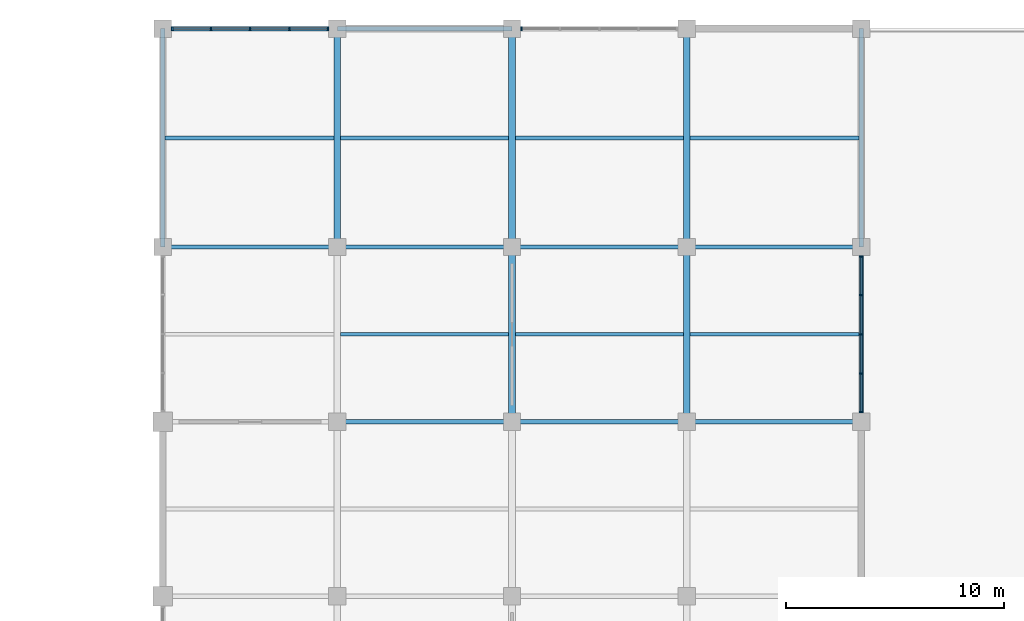
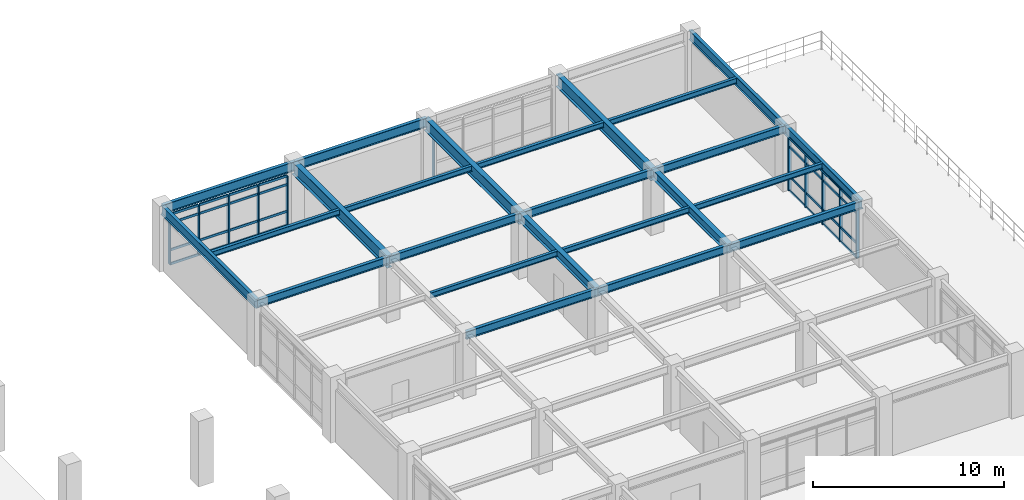
# One storey, part 61 of 118: 43 members, 24 beams, 3 elements without a shape of their own.
"""IFC4 building model written with IfcOpenShell, lengths in metres."""

from ifc_helpers import new_model, si_unit, direction, frame, origin, origin_2d, place, context, subcontext, project, spatial, rectangle, i_section, extrude, material, layer, layer_set, material_profile, profile_set, type_object, element, aggregate, save


model = new_model("IFC4")

# Units and contexts
model_context = context("Model", 3, precision=1e-05, world=origin(), true_north=direction((0.0, 1.0)))
body_context = subcontext(model_context, "Body", "Model", "MODEL_VIEW")
ifc_project = project(units=[si_unit("LENGTHUNIT", "METRE"), si_unit("AREAUNIT", "SQUARE_METRE"), si_unit("VOLUMEUNIT", "CUBIC_METRE"), si_unit("PLANEANGLEUNIT", "RADIAN"), si_unit("MASSUNIT", "GRAM", prefix="KILO")], contexts=[model_context])

# Site, building, storey
site_placement = place(None, origin())
site = spatial("IfcSite", under=ifc_project, at=site_placement, CompositionType="ELEMENT")
building_placement = place(site_placement, origin())
building = spatial("IfcBuilding", under=site, at=building_placement, Name="Haebicheon Civic Stadium", CompositionType="ELEMENT")
storey_placement = place(building_placement, frame((0.0, 0.0, 14.39990234375)))
storey = spatial("IfcBuildingStorey", under=building, at=storey_placement, Name="L04", CompositionType="ELEMENT", Elevation=14.39990234375)

# Beams
ifc_material_1 = material(Name="Steel SM355 (S355)", Category="steel")
ifc_material_profile_1 = material_profile(ifc_material_1, i_section(OverallWidth=0.199951171875, OverallDepth=0.5, WebThickness=0.010009765625, FlangeThickness=0.01611328125, at=origin_2d()), Name="H-500x200x10x16")
ifc_profile_set_1 = profile_set([ifc_material_profile_1], Name="Steel SM355 (S355)")
beam_type_1 = type_object("IfcBeamType", Name="BM-ST-H500", PredefinedType="BEAM", material=ifc_profile_set_1)
for number, where, z_axis, x_axis, name in (
    (1, (160.0, 168.0, 3.72998046875), (1.0, 0.0, 0.0), (0.0, 1.0, 0.0), "L04 beam X/21-22"),
    (2, (168.0, 160.0, 3.72998046875), (1.0, 0.0, 0.0), (0.0, 1.0, 0.0), "L04 beam W/22-23"),
    (3, (168.0, 168.0, 3.72998046875), (1.0, 0.0, 0.0), (0.0, 1.0, 0.0), "L04 beam X/22-23"),
    (4, (176.0, 160.0, 3.72998046875), (1.0, 0.0, 0.0), (0.0, 1.0, 0.0), "L04 beam W/23-24"),
    (5, (176.0, 168.0, 3.72998046875), (1.0, 0.0, 0.0), (0.0, 1.0, 0.0), "L04 beam X/23-24"),
    (6, (184.0, 160.0, 3.72998046875), (1.0, 0.0, 0.0), (0.0, 1.0, 0.0), "L04 beam W/24-25"),
    (7, (184.0, 168.0, 3.72998046875), (1.0, 0.0, 0.0), (0.0, 1.0, 0.0), "L04 beam X/24-25"),
):
    element("IfcBeam", number, at=place(storey_placement, frame(where, z_axis=z_axis, x_axis=x_axis)), inside=storey, type_object=beam_type_1, material=ifc_profile_set_1, Name=name, PredefinedType="BEAM", context=body_context, shape_type="SweptSolid", body=[
        extrude(i_section(OverallWidth=0.199951171875, OverallDepth=0.5, WebThickness=0.010009765625, FlangeThickness=0.01611328125, at=origin_2d()), origin(), (0.0, 0.0, 1.0), 8.0),
    ])
ifc_material_2 = material(Name="Steel SM355 (S355)", Category="steel")
ifc_material_profile_2 = material_profile(ifc_material_2, i_section(OverallWidth=0.300048828125, OverallDepth=0.60009765625, WebThickness=0.011962890625, FlangeThickness=0.02001953125, at=origin_2d()), Name="H-600x300x12x20")
ifc_profile_set_2 = profile_set([ifc_material_profile_2], Name="Steel SM355 (S355)")
beam_type_2 = type_object("IfcBeamType", Name="BM-ST-H600A", PredefinedType="BEAM", material=ifc_profile_set_2)
for number, where, z_axis, x_axis, name in (
    (8, (176.0, 160.0, 3.68017578125), (0.0, 1.0, 0.0), (-1.0, 0.0, 0.0), "L04 girder 23/W-X"),
    (9, (184.0, 160.0, 3.68017578125), (0.0, 1.0, 0.0), (-1.0, 0.0, 0.0), "L04 girder 24/W-X"),
):
    element("IfcBeam", number, at=place(storey_placement, frame(where, z_axis=z_axis, x_axis=x_axis)), inside=storey, type_object=beam_type_2, material=ifc_profile_set_2, Name=name, PredefinedType="BEAM", context=body_context, shape_type="SweptSolid", body=[
        extrude(i_section(OverallWidth=0.300048828125, OverallDepth=0.60009765625, WebThickness=0.011962890625, FlangeThickness=0.02001953125, at=origin_2d()), origin(), (0.0, 0.0, 1.0), 8.0),
    ])
ifc_material_3 = material(Name="Steel SM490", Category="steel")
ifc_material_profile_3 = material_profile(ifc_material_3, i_section(OverallWidth=0.300048828125, OverallDepth=0.800048828125, WebThickness=0.013916015625, FlangeThickness=0.02587890625, at=origin_2d()), Name="H-800x300x14x26")
ifc_profile_set_3 = profile_set([ifc_material_profile_3], Name="Steel SM490")
beam_type_3 = type_object("IfcBeamType", Name="BM-ST-H800", PredefinedType="BEAM", material=ifc_profile_set_3)
for number, where, z_axis, x_axis, name in (
    (10, (168.0, 168.0, 3.580078125), (0.0, 1.0, 0.0), (-1.0, 0.0, 0.0), "L04 girder 22/X-Y"),
    (11, (176.0, 168.0, 3.580078125), (0.0, 1.0, 0.0), (-1.0, 0.0, 0.0), "L04 girder 23/X-Y"),
    (12, (184.0, 168.0, 3.580078125), (0.0, 1.0, 0.0), (-1.0, 0.0, 0.0), "L04 girder 24/X-Y"),
):
    element("IfcBeam", number, at=place(storey_placement, frame(where, z_axis=z_axis, x_axis=x_axis)), inside=storey, type_object=beam_type_3, material=ifc_profile_set_3, Name=name, PredefinedType="BEAM", context=body_context, shape_type="SweptSolid", body=[
        extrude(i_section(OverallWidth=0.300048828125, OverallDepth=0.800048828125, WebThickness=0.013916015625, FlangeThickness=0.02587890625, at=origin_2d()), origin(), (0.0, 0.0, 1.0), 10.0),
    ])

# Curtain wall, members
ifc_material_4 = material(Name="Anodised aluminium and laminated glass", Category="aluminium")
ifc_layer_1 = layer(ifc_material_4, 0.179931640625, Name="Anodised aluminium and laminated glass")
ifc_layer_set_1 = layer_set([ifc_layer_1], Name="Anodised aluminium and laminated glass")
curtain_wall_type_1 = type_object("IfcCurtainWallType", Name="CW-7200x3170", PredefinedType="NOTDEFINED", material=ifc_layer_set_1)
curtain_wall_1_placement = place(storey_placement, origin())
curtain_wall_1 = element("IfcCurtainWall", 13, at=curtain_wall_1_placement, inside=storey, type_object=curtain_wall_type_1, material=ifc_layer_set_1, Name="L04 unitised curtain wall 161", PredefinedType="NOTDEFINED")
ifc_material_5 = material(Name="Anodised aluminium 6063-T6", Category="aluminium")
ifc_material_profile_4 = material_profile(ifc_material_5, rectangle(XDim=0.070068359375, YDim=0.199951171875, at=origin_2d()), Name="ALU-MULL-70x200")
ifc_profile_set_4 = profile_set([ifc_material_profile_4], Name="Anodised aluminium 6063-T6")
member_type_1 = type_object("IfcMemberType", Name="CWM-200x70", PredefinedType="MULLION", material=ifc_profile_set_4)
member_1_placement = place(storey_placement, frame((160.43505859375, 178.0, 0.0), z_axis=(0.0, 0.0, 1.0), x_axis=(1.0, 0.0, 0.0)))
member_1 = element("IfcMember", 14, at=member_1_placement, type_object=member_type_1, material=ifc_profile_set_4, Name="CW-L04-161 vertical mullion 1", PredefinedType="MULLION", context=body_context, shape_type="SweptSolid", body=[
    extrude(rectangle(XDim=0.070068359375, YDim=0.199951171875, at=origin_2d()), origin(), (0.0, 0.0, 1.0), 3.170166015625),
])
member_2_placement = place(storey_placement, frame((162.199951171875, 178.0, 0.0), z_axis=(0.0, 0.0, 1.0), x_axis=(1.0, 0.0, 0.0)))
member_2 = element("IfcMember", 15, at=member_2_placement, type_object=member_type_1, material=ifc_profile_set_4, Name="CW-L04-161 vertical mullion 2", PredefinedType="MULLION", context=body_context, shape_type="SweptSolid", body=[
    extrude(rectangle(XDim=0.070068359375, YDim=0.199951171875, at=origin_2d()), origin(), (0.0, 0.0, 1.0), 3.170166015625),
])
member_3_placement = place(storey_placement, frame((164.0, 178.0, 0.0), z_axis=(0.0, 0.0, 1.0), x_axis=(1.0, 0.0, 0.0)))
member_3 = element("IfcMember", 16, at=member_3_placement, type_object=member_type_1, material=ifc_profile_set_4, Name="CW-L04-161 vertical mullion 3", PredefinedType="MULLION", context=body_context, shape_type="SweptSolid", body=[
    extrude(rectangle(XDim=0.070068359375, YDim=0.199951171875, at=origin_2d()), origin(), (0.0, 0.0, 1.0), 3.170166015625),
])
member_4_placement = place(storey_placement, frame((165.800048828125, 178.0, 0.0), z_axis=(0.0, 0.0, 1.0), x_axis=(1.0, 0.0, 0.0)))
member_4 = element("IfcMember", 17, at=member_4_placement, type_object=member_type_1, material=ifc_profile_set_4, Name="CW-L04-161 vertical mullion 4", PredefinedType="MULLION", context=body_context, shape_type="SweptSolid", body=[
    extrude(rectangle(XDim=0.070068359375, YDim=0.199951171875, at=origin_2d()), origin(), (0.0, 0.0, 1.0), 3.170166015625),
])
member_5_placement = place(storey_placement, frame((167.56494140625, 178.0, 0.0), z_axis=(0.0, 0.0, 1.0), x_axis=(1.0, 0.0, 0.0)))
member_5 = element("IfcMember", 18, at=member_5_placement, type_object=member_type_1, material=ifc_profile_set_4, Name="CW-L04-161 vertical mullion 5", PredefinedType="MULLION", context=body_context, shape_type="SweptSolid", body=[
    extrude(rectangle(XDim=0.070068359375, YDim=0.199951171875, at=origin_2d()), origin(), (0.0, 0.0, 1.0), 3.170166015625),
])

# Curtain wall, member
curtain_wall_2_placement = place(storey_placement, origin())
curtain_wall_2 = element("IfcCurtainWall", 19, at=curtain_wall_2_placement, inside=storey, type_object=curtain_wall_type_1, material=ifc_layer_set_1, Name="L04 unitised curtain wall 164", PredefinedType="NOTDEFINED")
member_6_placement = place(storey_placement, frame((176.43505859375, 178.0, 0.0), z_axis=(0.0, 0.0, 1.0), x_axis=(1.0, 0.0, 0.0)))
member_6 = element("IfcMember", 20, at=member_6_placement, type_object=member_type_1, material=ifc_profile_set_4, Name="CW-L04-164 vertical mullion 1", PredefinedType="MULLION", context=body_context, shape_type="SweptSolid", body=[
    extrude(rectangle(XDim=0.070068359375, YDim=0.199951171875, at=origin_2d()), origin(), (0.0, 0.0, 1.0), 3.170166015625),
])
aggregate(curtain_wall_2, [member_6])

# Curtain wall, members
ifc_material_6 = material(Name="Anodised aluminium and laminated glass", Category="aluminium")
ifc_layer_2 = layer(ifc_material_6, 0.179931640625, Name="Anodised aluminium and laminated glass")
ifc_layer_set_2 = layer_set([ifc_layer_2], Name="Anodised aluminium and laminated glass")
curtain_wall_type_2 = type_object("IfcCurtainWallType", Name="CW-7200x3350", PredefinedType="NOTDEFINED", material=ifc_layer_set_2)
curtain_wall_3_placement = place(storey_placement, origin())
curtain_wall_3 = element("IfcCurtainWall", 21, at=curtain_wall_3_placement, inside=storey, type_object=curtain_wall_type_2, material=ifc_layer_set_2, Name="L04 unitised curtain wall 168", PredefinedType="NOTDEFINED")
member_7_placement = place(storey_placement, frame((192.0, 160.43505859375, 0.0), z_axis=(0.0, 0.0, 1.0), x_axis=(0.0, 1.0, 0.0)))
member_7 = element("IfcMember", 22, at=member_7_placement, type_object=member_type_1, material=ifc_profile_set_4, Name="CW-L04-168 vertical mullion 1", PredefinedType="MULLION", context=body_context, shape_type="SweptSolid", body=[
    extrude(rectangle(XDim=0.070068359375, YDim=0.199951171875, at=origin_2d()), origin(), (0.0, 0.0, 1.0), 3.35009765625),
])
member_8_placement = place(storey_placement, frame((192.0, 162.199951171875, 0.0), z_axis=(0.0, 0.0, 1.0), x_axis=(0.0, 1.0, 0.0)))
member_8 = element("IfcMember", 23, at=member_8_placement, type_object=member_type_1, material=ifc_profile_set_4, Name="CW-L04-168 vertical mullion 2", PredefinedType="MULLION", context=body_context, shape_type="SweptSolid", body=[
    extrude(rectangle(XDim=0.070068359375, YDim=0.199951171875, at=origin_2d()), origin(), (0.0, 0.0, 1.0), 3.35009765625),
])
member_9_placement = place(storey_placement, frame((192.0, 164.0, 0.0), z_axis=(0.0, 0.0, 1.0), x_axis=(0.0, 1.0, 0.0)))
member_9 = element("IfcMember", 24, at=member_9_placement, type_object=member_type_1, material=ifc_profile_set_4, Name="CW-L04-168 vertical mullion 3", PredefinedType="MULLION", context=body_context, shape_type="SweptSolid", body=[
    extrude(rectangle(XDim=0.070068359375, YDim=0.199951171875, at=origin_2d()), origin(), (0.0, 0.0, 1.0), 3.35009765625),
])
member_10_placement = place(storey_placement, frame((192.0, 165.800048828125, 0.0), z_axis=(0.0, 0.0, 1.0), x_axis=(0.0, 1.0, 0.0)))
member_10 = element("IfcMember", 25, at=member_10_placement, type_object=member_type_1, material=ifc_profile_set_4, Name="CW-L04-168 vertical mullion 4", PredefinedType="MULLION", context=body_context, shape_type="SweptSolid", body=[
    extrude(rectangle(XDim=0.070068359375, YDim=0.199951171875, at=origin_2d()), origin(), (0.0, 0.0, 1.0), 3.35009765625),
])
member_11_placement = place(storey_placement, frame((192.0, 167.56494140625, 0.0), z_axis=(0.0, 0.0, 1.0), x_axis=(0.0, 1.0, 0.0)))
member_11 = element("IfcMember", 26, at=member_11_placement, type_object=member_type_1, material=ifc_profile_set_4, Name="CW-L04-168 vertical mullion 5", PredefinedType="MULLION", context=body_context, shape_type="SweptSolid", body=[
    extrude(rectangle(XDim=0.070068359375, YDim=0.199951171875, at=origin_2d()), origin(), (0.0, 0.0, 1.0), 3.35009765625),
])

# Member
ifc_material_7 = material(Name="Anodised aluminium 6063-T6", Category="aluminium")
ifc_material_profile_5 = material_profile(ifc_material_7, rectangle(XDim=0.070068359375, YDim=0.14990234375, at=origin_2d()), Name="ALU-TRAN-70x150")
ifc_profile_set_5 = profile_set([ifc_material_profile_5], Name="Anodised aluminium 6063-T6")
member_type_2 = type_object("IfcMemberType", Name="CWT-150x70", PredefinedType="NOTDEFINED", material=ifc_profile_set_5)
member_12_placement = place(storey_placement, frame((160.469970703125, 178.0, 0.0), z_axis=(1.0, 0.0, 0.0), x_axis=(0.0, 1.0, 0.0)))
member_12 = element("IfcMember", 27, at=member_12_placement, type_object=member_type_2, material=ifc_profile_set_5, Name="CW-L04-161 horizontal transom 1.1", ObjectType="TRANSOM", PredefinedType="USERDEFINED", context=body_context, shape_type="SweptSolid", body=[
    extrude(rectangle(XDim=0.070068359375, YDim=0.14990234375, at=origin_2d()), origin(), (0.0, 0.0, 1.0), 1.695068359375),
])

member_13_placement = place(storey_placement, frame((160.469970703125, 178.0, 0.900146484375), z_axis=(1.0, 0.0, 0.0), x_axis=(0.0, 1.0, 0.0)))
member_13 = element("IfcMember", 28, at=member_13_placement, type_object=member_type_2, material=ifc_profile_set_5, Name="CW-L04-161 horizontal transom 1.2", ObjectType="TRANSOM", PredefinedType="USERDEFINED", context=body_context, shape_type="SweptSolid", body=[
    extrude(rectangle(XDim=0.070068359375, YDim=0.14990234375, at=origin_2d()), origin(), (0.0, 0.0, 1.0), 1.695068359375),
])

member_14_placement = place(storey_placement, frame((160.469970703125, 178.0, 2.6201171875), z_axis=(1.0, 0.0, 0.0), x_axis=(0.0, 1.0, 0.0)))
member_14 = element("IfcMember", 29, at=member_14_placement, type_object=member_type_2, material=ifc_profile_set_5, Name="CW-L04-161 horizontal transom 1.3", ObjectType="TRANSOM", PredefinedType="USERDEFINED", context=body_context, shape_type="SweptSolid", body=[
    extrude(rectangle(XDim=0.070068359375, YDim=0.14990234375, at=origin_2d()), origin(), (0.0, 0.0, 1.0), 1.695068359375),
])

member_15_placement = place(storey_placement, frame((160.469970703125, 178.0, 3.170166015625), z_axis=(1.0, 0.0, 0.0), x_axis=(0.0, 1.0, 0.0)))
member_15 = element("IfcMember", 30, at=member_15_placement, type_object=member_type_2, material=ifc_profile_set_5, Name="CW-L04-161 horizontal transom 1.4", ObjectType="TRANSOM", PredefinedType="USERDEFINED", context=body_context, shape_type="SweptSolid", body=[
    extrude(rectangle(XDim=0.070068359375, YDim=0.14990234375, at=origin_2d()), origin(), (0.0, 0.0, 1.0), 1.695068359375),
])

member_16_placement = place(storey_placement, frame((162.235107421875, 178.0, 0.0), z_axis=(1.0, 0.0, 0.0), x_axis=(0.0, 1.0, 0.0)))
member_16 = element("IfcMember", 31, at=member_16_placement, type_object=member_type_2, material=ifc_profile_set_5, Name="CW-L04-161 horizontal transom 2.1", ObjectType="TRANSOM", PredefinedType="USERDEFINED", context=body_context, shape_type="SweptSolid", body=[
    extrude(rectangle(XDim=0.070068359375, YDim=0.14990234375, at=origin_2d()), origin(), (0.0, 0.0, 1.0), 1.72998046875),
])

member_17_placement = place(storey_placement, frame((162.235107421875, 178.0, 0.900146484375), z_axis=(1.0, 0.0, 0.0), x_axis=(0.0, 1.0, 0.0)))
member_17 = element("IfcMember", 32, at=member_17_placement, type_object=member_type_2, material=ifc_profile_set_5, Name="CW-L04-161 horizontal transom 2.2", ObjectType="TRANSOM", PredefinedType="USERDEFINED", context=body_context, shape_type="SweptSolid", body=[
    extrude(rectangle(XDim=0.070068359375, YDim=0.14990234375, at=origin_2d()), origin(), (0.0, 0.0, 1.0), 1.72998046875),
])

member_18_placement = place(storey_placement, frame((162.235107421875, 178.0, 2.6201171875), z_axis=(1.0, 0.0, 0.0), x_axis=(0.0, 1.0, 0.0)))
member_18 = element("IfcMember", 33, at=member_18_placement, type_object=member_type_2, material=ifc_profile_set_5, Name="CW-L04-161 horizontal transom 2.3", ObjectType="TRANSOM", PredefinedType="USERDEFINED", context=body_context, shape_type="SweptSolid", body=[
    extrude(rectangle(XDim=0.070068359375, YDim=0.14990234375, at=origin_2d()), origin(), (0.0, 0.0, 1.0), 1.72998046875),
])

member_19_placement = place(storey_placement, frame((162.235107421875, 178.0, 3.170166015625), z_axis=(1.0, 0.0, 0.0), x_axis=(0.0, 1.0, 0.0)))
member_19 = element("IfcMember", 34, at=member_19_placement, type_object=member_type_2, material=ifc_profile_set_5, Name="CW-L04-161 horizontal transom 2.4", ObjectType="TRANSOM", PredefinedType="USERDEFINED", context=body_context, shape_type="SweptSolid", body=[
    extrude(rectangle(XDim=0.070068359375, YDim=0.14990234375, at=origin_2d()), origin(), (0.0, 0.0, 1.0), 1.72998046875),
])

member_20_placement = place(storey_placement, frame((164.034912109375, 178.0, 0.0), z_axis=(1.0, 0.0, 0.0), x_axis=(0.0, 1.0, 0.0)))
member_20 = element("IfcMember", 35, at=member_20_placement, type_object=member_type_2, material=ifc_profile_set_5, Name="CW-L04-161 horizontal transom 3.1", ObjectType="TRANSOM", PredefinedType="USERDEFINED", context=body_context, shape_type="SweptSolid", body=[
    extrude(rectangle(XDim=0.070068359375, YDim=0.14990234375, at=origin_2d()), origin(), (0.0, 0.0, 1.0), 1.72998046875),
])

member_21_placement = place(storey_placement, frame((164.034912109375, 178.0, 0.900146484375), z_axis=(1.0, 0.0, 0.0), x_axis=(0.0, 1.0, 0.0)))
member_21 = element("IfcMember", 36, at=member_21_placement, type_object=member_type_2, material=ifc_profile_set_5, Name="CW-L04-161 horizontal transom 3.2", ObjectType="TRANSOM", PredefinedType="USERDEFINED", context=body_context, shape_type="SweptSolid", body=[
    extrude(rectangle(XDim=0.070068359375, YDim=0.14990234375, at=origin_2d()), origin(), (0.0, 0.0, 1.0), 1.72998046875),
])

member_22_placement = place(storey_placement, frame((164.034912109375, 178.0, 2.6201171875), z_axis=(1.0, 0.0, 0.0), x_axis=(0.0, 1.0, 0.0)))
member_22 = element("IfcMember", 37, at=member_22_placement, type_object=member_type_2, material=ifc_profile_set_5, Name="CW-L04-161 horizontal transom 3.3", ObjectType="TRANSOM", PredefinedType="USERDEFINED", context=body_context, shape_type="SweptSolid", body=[
    extrude(rectangle(XDim=0.070068359375, YDim=0.14990234375, at=origin_2d()), origin(), (0.0, 0.0, 1.0), 1.72998046875),
])

member_23_placement = place(storey_placement, frame((164.034912109375, 178.0, 3.170166015625), z_axis=(1.0, 0.0, 0.0), x_axis=(0.0, 1.0, 0.0)))
member_23 = element("IfcMember", 38, at=member_23_placement, type_object=member_type_2, material=ifc_profile_set_5, Name="CW-L04-161 horizontal transom 3.4", ObjectType="TRANSOM", PredefinedType="USERDEFINED", context=body_context, shape_type="SweptSolid", body=[
    extrude(rectangle(XDim=0.070068359375, YDim=0.14990234375, at=origin_2d()), origin(), (0.0, 0.0, 1.0), 1.72998046875),
])

member_24_placement = place(storey_placement, frame((165.8349609375, 178.0, 0.0), z_axis=(1.0, 0.0, 0.0), x_axis=(0.0, 1.0, 0.0)))
member_24 = element("IfcMember", 39, at=member_24_placement, type_object=member_type_2, material=ifc_profile_set_5, Name="CW-L04-161 horizontal transom 4.1", ObjectType="TRANSOM", PredefinedType="USERDEFINED", context=body_context, shape_type="SweptSolid", body=[
    extrude(rectangle(XDim=0.070068359375, YDim=0.14990234375, at=origin_2d()), origin(), (0.0, 0.0, 1.0), 1.695068359375),
])

member_25_placement = place(storey_placement, frame((165.8349609375, 178.0, 0.900146484375), z_axis=(1.0, 0.0, 0.0), x_axis=(0.0, 1.0, 0.0)))
member_25 = element("IfcMember", 40, at=member_25_placement, type_object=member_type_2, material=ifc_profile_set_5, Name="CW-L04-161 horizontal transom 4.2", ObjectType="TRANSOM", PredefinedType="USERDEFINED", context=body_context, shape_type="SweptSolid", body=[
    extrude(rectangle(XDim=0.070068359375, YDim=0.14990234375, at=origin_2d()), origin(), (0.0, 0.0, 1.0), 1.695068359375),
])

member_26_placement = place(storey_placement, frame((165.8349609375, 178.0, 2.6201171875), z_axis=(1.0, 0.0, 0.0), x_axis=(0.0, 1.0, 0.0)))
member_26 = element("IfcMember", 41, at=member_26_placement, type_object=member_type_2, material=ifc_profile_set_5, Name="CW-L04-161 horizontal transom 4.3", ObjectType="TRANSOM", PredefinedType="USERDEFINED", context=body_context, shape_type="SweptSolid", body=[
    extrude(rectangle(XDim=0.070068359375, YDim=0.14990234375, at=origin_2d()), origin(), (0.0, 0.0, 1.0), 1.695068359375),
])

member_27_placement = place(storey_placement, frame((165.8349609375, 178.0, 3.170166015625), z_axis=(1.0, 0.0, 0.0), x_axis=(0.0, 1.0, 0.0)))
member_27 = element("IfcMember", 42, at=member_27_placement, type_object=member_type_2, material=ifc_profile_set_5, Name="CW-L04-161 horizontal transom 4.4", ObjectType="TRANSOM", PredefinedType="USERDEFINED", context=body_context, shape_type="SweptSolid", body=[
    extrude(rectangle(XDim=0.070068359375, YDim=0.14990234375, at=origin_2d()), origin(), (0.0, 0.0, 1.0), 1.695068359375),
])

aggregate(curtain_wall_1, [member_1, member_2, member_3, member_4, member_5, member_12, member_13, member_14, member_15, member_16, member_17, member_18, member_19, member_20, member_21, member_22, member_23, member_24, member_25, member_26, member_27])

member_28_placement = place(storey_placement, frame((192.0, 160.469970703125, 0.0), z_axis=(0.0, 1.0, 0.0), x_axis=(-1.0, 0.0, 0.0)))
member_28 = element("IfcMember", 43, at=member_28_placement, type_object=member_type_2, material=ifc_profile_set_5, Name="CW-L04-168 horizontal transom 1.1", ObjectType="TRANSOM", PredefinedType="USERDEFINED", context=body_context, shape_type="SweptSolid", body=[
    extrude(rectangle(XDim=0.070068359375, YDim=0.14990234375, at=origin_2d()), origin(), (0.0, 0.0, 1.0), 1.695068359375),
])

member_29_placement = place(storey_placement, frame((192.0, 160.469970703125, 0.900146484375), z_axis=(0.0, 1.0, 0.0), x_axis=(-1.0, 0.0, 0.0)))
member_29 = element("IfcMember", 44, at=member_29_placement, type_object=member_type_2, material=ifc_profile_set_5, Name="CW-L04-168 horizontal transom 1.2", ObjectType="TRANSOM", PredefinedType="USERDEFINED", context=body_context, shape_type="SweptSolid", body=[
    extrude(rectangle(XDim=0.070068359375, YDim=0.14990234375, at=origin_2d()), origin(), (0.0, 0.0, 1.0), 1.695068359375),
])

member_30_placement = place(storey_placement, frame((192.0, 160.469970703125, 2.800048828125), z_axis=(0.0, 1.0, 0.0), x_axis=(-1.0, 0.0, 0.0)))
member_30 = element("IfcMember", 45, at=member_30_placement, type_object=member_type_2, material=ifc_profile_set_5, Name="CW-L04-168 horizontal transom 1.3", ObjectType="TRANSOM", PredefinedType="USERDEFINED", context=body_context, shape_type="SweptSolid", body=[
    extrude(rectangle(XDim=0.070068359375, YDim=0.14990234375, at=origin_2d()), origin(), (0.0, 0.0, 1.0), 1.695068359375),
])

member_31_placement = place(storey_placement, frame((192.0, 160.469970703125, 3.35009765625), z_axis=(0.0, 1.0, 0.0), x_axis=(-1.0, 0.0, 0.0)))
member_31 = element("IfcMember", 46, at=member_31_placement, type_object=member_type_2, material=ifc_profile_set_5, Name="CW-L04-168 horizontal transom 1.4", ObjectType="TRANSOM", PredefinedType="USERDEFINED", context=body_context, shape_type="SweptSolid", body=[
    extrude(rectangle(XDim=0.070068359375, YDim=0.14990234375, at=origin_2d()), origin(), (0.0, 0.0, 1.0), 1.695068359375),
])

member_32_placement = place(storey_placement, frame((192.0, 162.235107421875, 0.0), z_axis=(0.0, 1.0, 0.0), x_axis=(-1.0, 0.0, 0.0)))
member_32 = element("IfcMember", 47, at=member_32_placement, type_object=member_type_2, material=ifc_profile_set_5, Name="CW-L04-168 horizontal transom 2.1", ObjectType="TRANSOM", PredefinedType="USERDEFINED", context=body_context, shape_type="SweptSolid", body=[
    extrude(rectangle(XDim=0.070068359375, YDim=0.14990234375, at=origin_2d()), origin(), (0.0, 0.0, 1.0), 1.72998046875),
])

member_33_placement = place(storey_placement, frame((192.0, 162.235107421875, 0.900146484375), z_axis=(0.0, 1.0, 0.0), x_axis=(-1.0, 0.0, 0.0)))
member_33 = element("IfcMember", 48, at=member_33_placement, type_object=member_type_2, material=ifc_profile_set_5, Name="CW-L04-168 horizontal transom 2.2", ObjectType="TRANSOM", PredefinedType="USERDEFINED", context=body_context, shape_type="SweptSolid", body=[
    extrude(rectangle(XDim=0.070068359375, YDim=0.14990234375, at=origin_2d()), origin(), (0.0, 0.0, 1.0), 1.72998046875),
])

member_34_placement = place(storey_placement, frame((192.0, 162.235107421875, 2.800048828125), z_axis=(0.0, 1.0, 0.0), x_axis=(-1.0, 0.0, 0.0)))
member_34 = element("IfcMember", 49, at=member_34_placement, type_object=member_type_2, material=ifc_profile_set_5, Name="CW-L04-168 horizontal transom 2.3", ObjectType="TRANSOM", PredefinedType="USERDEFINED", context=body_context, shape_type="SweptSolid", body=[
    extrude(rectangle(XDim=0.070068359375, YDim=0.14990234375, at=origin_2d()), origin(), (0.0, 0.0, 1.0), 1.72998046875),
])

member_35_placement = place(storey_placement, frame((192.0, 162.235107421875, 3.35009765625), z_axis=(0.0, 1.0, 0.0), x_axis=(-1.0, 0.0, 0.0)))
member_35 = element("IfcMember", 50, at=member_35_placement, type_object=member_type_2, material=ifc_profile_set_5, Name="CW-L04-168 horizontal transom 2.4", ObjectType="TRANSOM", PredefinedType="USERDEFINED", context=body_context, shape_type="SweptSolid", body=[
    extrude(rectangle(XDim=0.070068359375, YDim=0.14990234375, at=origin_2d()), origin(), (0.0, 0.0, 1.0), 1.72998046875),
])

member_36_placement = place(storey_placement, frame((192.0, 164.034912109375, 0.0), z_axis=(0.0, 1.0, 0.0), x_axis=(-1.0, 0.0, 0.0)))
member_36 = element("IfcMember", 51, at=member_36_placement, type_object=member_type_2, material=ifc_profile_set_5, Name="CW-L04-168 horizontal transom 3.1", ObjectType="TRANSOM", PredefinedType="USERDEFINED", context=body_context, shape_type="SweptSolid", body=[
    extrude(rectangle(XDim=0.070068359375, YDim=0.14990234375, at=origin_2d()), origin(), (0.0, 0.0, 1.0), 1.72998046875),
])

member_37_placement = place(storey_placement, frame((192.0, 164.034912109375, 0.900146484375), z_axis=(0.0, 1.0, 0.0), x_axis=(-1.0, 0.0, 0.0)))
member_37 = element("IfcMember", 52, at=member_37_placement, type_object=member_type_2, material=ifc_profile_set_5, Name="CW-L04-168 horizontal transom 3.2", ObjectType="TRANSOM", PredefinedType="USERDEFINED", context=body_context, shape_type="SweptSolid", body=[
    extrude(rectangle(XDim=0.070068359375, YDim=0.14990234375, at=origin_2d()), origin(), (0.0, 0.0, 1.0), 1.72998046875),
])

member_38_placement = place(storey_placement, frame((192.0, 164.034912109375, 2.800048828125), z_axis=(0.0, 1.0, 0.0), x_axis=(-1.0, 0.0, 0.0)))
member_38 = element("IfcMember", 53, at=member_38_placement, type_object=member_type_2, material=ifc_profile_set_5, Name="CW-L04-168 horizontal transom 3.3", ObjectType="TRANSOM", PredefinedType="USERDEFINED", context=body_context, shape_type="SweptSolid", body=[
    extrude(rectangle(XDim=0.070068359375, YDim=0.14990234375, at=origin_2d()), origin(), (0.0, 0.0, 1.0), 1.72998046875),
])

member_39_placement = place(storey_placement, frame((192.0, 164.034912109375, 3.35009765625), z_axis=(0.0, 1.0, 0.0), x_axis=(-1.0, 0.0, 0.0)))
member_39 = element("IfcMember", 54, at=member_39_placement, type_object=member_type_2, material=ifc_profile_set_5, Name="CW-L04-168 horizontal transom 3.4", ObjectType="TRANSOM", PredefinedType="USERDEFINED", context=body_context, shape_type="SweptSolid", body=[
    extrude(rectangle(XDim=0.070068359375, YDim=0.14990234375, at=origin_2d()), origin(), (0.0, 0.0, 1.0), 1.72998046875),
])

member_40_placement = place(storey_placement, frame((192.0, 165.8349609375, 0.0), z_axis=(0.0, 1.0, 0.0), x_axis=(-1.0, 0.0, 0.0)))
member_40 = element("IfcMember", 55, at=member_40_placement, type_object=member_type_2, material=ifc_profile_set_5, Name="CW-L04-168 horizontal transom 4.1", ObjectType="TRANSOM", PredefinedType="USERDEFINED", context=body_context, shape_type="SweptSolid", body=[
    extrude(rectangle(XDim=0.070068359375, YDim=0.14990234375, at=origin_2d()), origin(), (0.0, 0.0, 1.0), 1.695068359375),
])

member_41_placement = place(storey_placement, frame((192.0, 165.8349609375, 0.900146484375), z_axis=(0.0, 1.0, 0.0), x_axis=(-1.0, 0.0, 0.0)))
member_41 = element("IfcMember", 56, at=member_41_placement, type_object=member_type_2, material=ifc_profile_set_5, Name="CW-L04-168 horizontal transom 4.2", ObjectType="TRANSOM", PredefinedType="USERDEFINED", context=body_context, shape_type="SweptSolid", body=[
    extrude(rectangle(XDim=0.070068359375, YDim=0.14990234375, at=origin_2d()), origin(), (0.0, 0.0, 1.0), 1.695068359375),
])

member_42_placement = place(storey_placement, frame((192.0, 165.8349609375, 2.800048828125), z_axis=(0.0, 1.0, 0.0), x_axis=(-1.0, 0.0, 0.0)))
member_42 = element("IfcMember", 57, at=member_42_placement, type_object=member_type_2, material=ifc_profile_set_5, Name="CW-L04-168 horizontal transom 4.3", ObjectType="TRANSOM", PredefinedType="USERDEFINED", context=body_context, shape_type="SweptSolid", body=[
    extrude(rectangle(XDim=0.070068359375, YDim=0.14990234375, at=origin_2d()), origin(), (0.0, 0.0, 1.0), 1.695068359375),
])

member_43_placement = place(storey_placement, frame((192.0, 165.8349609375, 3.35009765625), z_axis=(0.0, 1.0, 0.0), x_axis=(-1.0, 0.0, 0.0)))
member_43 = element("IfcMember", 58, at=member_43_placement, type_object=member_type_2, material=ifc_profile_set_5, Name="CW-L04-168 horizontal transom 4.4", ObjectType="TRANSOM", PredefinedType="USERDEFINED", context=body_context, shape_type="SweptSolid", body=[
    extrude(rectangle(XDim=0.070068359375, YDim=0.14990234375, at=origin_2d()), origin(), (0.0, 0.0, 1.0), 1.695068359375),
])

aggregate(curtain_wall_3, [member_7, member_8, member_9, member_10, member_11, member_28, member_29, member_30, member_31, member_32, member_33, member_34, member_35, member_36, member_37, member_38, member_39, member_40, member_41, member_42, member_43])

# Beams
ifc_material_8 = material(Name="Steel SM355 (S355)", Category="steel")
ifc_material_profile_6 = material_profile(ifc_material_8, i_section(OverallWidth=0.175048828125, OverallDepth=0.35009765625, WebThickness=0.007080078125, FlangeThickness=0.010986328125, at=origin_2d()), Name="H-350x175x7x11")
ifc_profile_set_6 = profile_set([ifc_material_profile_6], Name="Steel SM355 (S355)")
beam_type_4 = type_object("IfcBeamType", Name="JST-ST-H350", PredefinedType="JOIST", material=ifc_profile_set_6)
beam_1_placement = place(storey_placement, frame((160.10009765625, 173.0, 3.80517578125), z_axis=(1.0, 0.0, 0.0), x_axis=(0.0, 1.0, 0.0)))
element("IfcBeam", 59, at=beam_1_placement, inside=storey, type_object=beam_type_4, material=ifc_profile_set_6, Name="L04 secondary joist 20-21", PredefinedType="JOIST", context=body_context, shape_type="SweptSolid", body=[
    extrude(i_section(OverallWidth=0.175048828125, OverallDepth=0.35009765625, WebThickness=0.007080078125, FlangeThickness=0.010986328125, at=origin_2d()), origin(), (0.0, 0.0, 1.0), 7.75),
])
for number, where, z_axis, x_axis, name in (
    (60, (168.14990234375, 164.0, 3.80517578125), (1.0, 0.0, 0.0), (0.0, 1.0, 0.0), "L04 secondary joist 21-20"),
    (61, (168.14990234375, 173.0, 3.80517578125), (1.0, 0.0, 0.0), (0.0, 1.0, 0.0), "L04 secondary joist 21-21"),
    (62, (176.14990234375, 164.0, 3.80517578125), (1.0, 0.0, 0.0), (0.0, 1.0, 0.0), "L04 secondary joist 22-20"),
    (63, (176.14990234375, 173.0, 3.80517578125), (1.0, 0.0, 0.0), (0.0, 1.0, 0.0), "L04 secondary joist 22-21"),
):
    element("IfcBeam", number, at=place(storey_placement, frame(where, z_axis=z_axis, x_axis=x_axis)), inside=storey, type_object=beam_type_4, material=ifc_profile_set_6, Name=name, PredefinedType="JOIST", context=body_context, shape_type="SweptSolid", body=[
        extrude(i_section(OverallWidth=0.175048828125, OverallDepth=0.35009765625, WebThickness=0.007080078125, FlangeThickness=0.010986328125, at=origin_2d()), origin(), (0.0, 0.0, 1.0), 7.7001953125),
    ])
for number, where, z_axis, x_axis, name in (
    (64, (184.14990234375, 164.0, 3.80517578125), (1.0, 0.0, 0.0), (0.0, 1.0, 0.0), "L04 secondary joist 23-20"),
    (65, (184.14990234375, 173.0, 3.80517578125), (1.0, 0.0, 0.0), (0.0, 1.0, 0.0), "L04 secondary joist 23-21"),
):
    element("IfcBeam", number, at=place(storey_placement, frame(where, z_axis=z_axis, x_axis=x_axis)), inside=storey, type_object=beam_type_4, material=ifc_profile_set_6, Name=name, PredefinedType="JOIST", context=body_context, shape_type="SweptSolid", body=[
        extrude(i_section(OverallWidth=0.175048828125, OverallDepth=0.35009765625, WebThickness=0.007080078125, FlangeThickness=0.010986328125, at=origin_2d()), origin(), (0.0, 0.0, 1.0), 7.75),
    ])
ifc_material_9 = material(Name="Steel SM355 (S355)", Category="steel")
ifc_material_profile_7 = material_profile(ifc_material_9, i_section(OverallWidth=0.199951171875, OverallDepth=0.60009765625, WebThickness=0.010986328125, FlangeThickness=0.01708984375, at=origin_2d()), Name="H-600x200x11x17")
ifc_profile_set_7 = profile_set([ifc_material_profile_7], Name="Steel SM355 (S355)")
beam_type_5 = type_object("IfcBeamType", Name="SPD-ST-H600B", PredefinedType="SPANDREL", material=ifc_profile_set_7)
beam_2_placement = place(storey_placement, frame((160.0, 168.0, 3.68017578125), z_axis=(0.0, 1.0, 0.0), x_axis=(-1.0, 0.0, 0.0)))
element("IfcBeam", 66, at=beam_2_placement, inside=storey, type_object=beam_type_5, material=ifc_profile_set_7, Name="L04 girder 21/X-Y", PredefinedType="SPANDREL", context=body_context, shape_type="SweptSolid", body=[
    extrude(i_section(OverallWidth=0.199951171875, OverallDepth=0.60009765625, WebThickness=0.010986328125, FlangeThickness=0.01708984375, at=origin_2d()), origin(), (0.0, 0.0, 1.0), 10.0),
])
beam_3_placement = place(storey_placement, frame((192.0, 160.0, 3.68017578125), z_axis=(0.0, 1.0, 0.0), x_axis=(-1.0, 0.0, 0.0)))
element("IfcBeam", 67, at=beam_3_placement, inside=storey, type_object=beam_type_5, material=ifc_profile_set_7, Name="L04 girder 25/W-X", PredefinedType="SPANDREL", context=body_context, shape_type="SweptSolid", body=[
    extrude(i_section(OverallWidth=0.199951171875, OverallDepth=0.60009765625, WebThickness=0.010986328125, FlangeThickness=0.01708984375, at=origin_2d()), origin(), (0.0, 0.0, 1.0), 8.0),
])
beam_4_placement = place(storey_placement, frame((192.0, 168.0, 3.68017578125), z_axis=(0.0, 1.0, 0.0), x_axis=(-1.0, 0.0, 0.0)))
element("IfcBeam", 68, at=beam_4_placement, inside=storey, type_object=beam_type_5, material=ifc_profile_set_7, Name="L04 girder 25/X-Y", PredefinedType="SPANDREL", context=body_context, shape_type="SweptSolid", body=[
    extrude(i_section(OverallWidth=0.199951171875, OverallDepth=0.60009765625, WebThickness=0.010986328125, FlangeThickness=0.01708984375, at=origin_2d()), origin(), (0.0, 0.0, 1.0), 10.0),
])
for number, where, z_axis, x_axis, name in (
    (69, (160.0, 178.0, 3.68017578125), (1.0, 0.0, 0.0), (0.0, 1.0, 0.0), "L04 beam Y/21-22"),
    (70, (168.0, 178.0, 3.68017578125), (1.0, 0.0, 0.0), (0.0, 1.0, 0.0), "L04 beam Y/22-23"),
):
    element("IfcBeam", number, at=place(storey_placement, frame(where, z_axis=z_axis, x_axis=x_axis)), inside=storey, type_object=beam_type_5, material=ifc_profile_set_7, Name=name, PredefinedType="SPANDREL", context=body_context, shape_type="SweptSolid", body=[
        extrude(i_section(OverallWidth=0.199951171875, OverallDepth=0.60009765625, WebThickness=0.010986328125, FlangeThickness=0.01708984375, at=origin_2d()), origin(), (0.0, 0.0, 1.0), 8.0),
    ])

save(model, "model.ifc")
